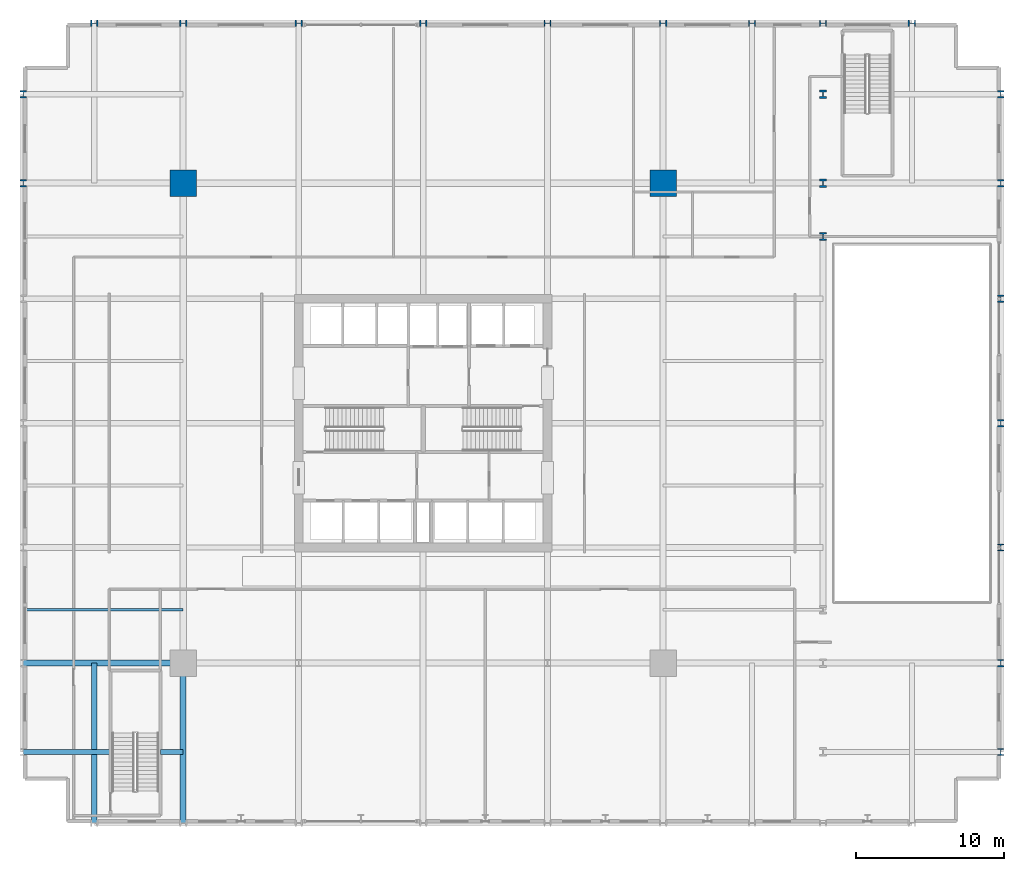
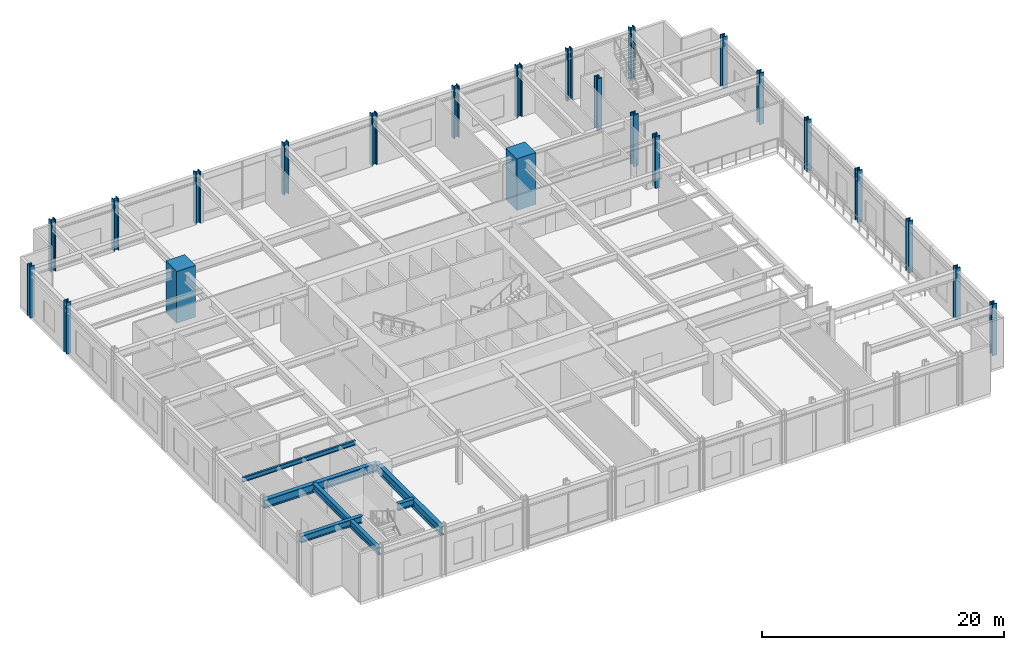
# One storey, part 2 of 20: 23 columns, 6 beams.
"""IFC4 building model written with IfcOpenShell, lengths in metres."""

from ifc_helpers import new_model, si_unit, direction, frame, origin, origin_2d, place, context, subcontext, project, spatial, rectangle, i_section, extrude, material, material_profile, profile_set, type_object, element, save


model = new_model("IFC4")

# Units and contexts
model_context = context("Model", 3, precision=1e-05, world=origin(), true_north=direction((0.0, 1.0)))
body_context = subcontext(model_context, "Body", "Model", "MODEL_VIEW")
ifc_project = project(units=[si_unit("LENGTHUNIT", "METRE"), si_unit("AREAUNIT", "SQUARE_METRE"), si_unit("VOLUMEUNIT", "CUBIC_METRE"), si_unit("PLANEANGLEUNIT", "RADIAN"), si_unit("MASSUNIT", "GRAM", prefix="KILO")], contexts=[model_context])

# Site, building, storey
site_placement = place(None, origin())
site = spatial("IfcSite", under=ifc_project, at=site_placement, CompositionType="ELEMENT")
building_placement = place(site_placement, origin())
building = spatial("IfcBuilding", under=site, at=building_placement, Name="Drelvath Grand Hotel", CompositionType="ELEMENT")
storey_placement = place(building_placement, frame((0.0, 0.0, 5.60009765625)))
storey = spatial("IfcBuildingStorey", under=building, at=storey_placement, Name="L01", CompositionType="ELEMENT", Elevation=5.60009765625)

# Columns
ifc_material_1 = material(Name="Concrete f'c 70 MPa", Category="concrete")
ifc_material_profile_1 = material_profile(ifc_material_1, rectangle(XDim=1.800048828125, YDim=1.800048828125, at=origin_2d()), Name="MC1800X1800")
ifc_profile_set_1 = profile_set([ifc_material_profile_1], Name="Concrete f'c 70 MPa")
column_type_1 = type_object("IfcColumnType", Name="Composite Mega Column MC1800X1800", PredefinedType="COLUMN", material=ifc_profile_set_1)
for number, where, z_axis, x_axis, name in (
    (1, (-16.199951171875, 43.199951171875, 0.0), (0.0, 0.0, 1.0), (1.0, 0.0, 0.0), "L01 Composite Mega Column MC-NW"),
    (2, (16.199951171875, 43.199951171875, 0.0), (0.0, 0.0, 1.0), (1.0, 0.0, 0.0), "L01 Composite Mega Column MC-NE"),
):
    element("IfcColumn", number, at=place(storey_placement, frame(where, z_axis=z_axis, x_axis=x_axis)), inside=storey, type_object=column_type_1, Name=name, PredefinedType="COLUMN", context=body_context, shape_type="SweptSolid", body=[
        extrude(rectangle(XDim=1.800048828125, YDim=1.800048828125, at=origin_2d()), origin(), (0.0, 0.0, 1.0), 5.199951171875),
    ])
ifc_material_2 = material(Name="Steel ASTM A913 Gr 65", Category="steel")
ifc_material_profile_2 = material_profile(ifc_material_2, i_section(OverallWidth=0.43212890625, OverallDepth=0.497802734375, WebThickness=0.0556640625, FlangeThickness=0.0888671875, FilletRadius=0.030029296875, at=origin_2d()), Name="W14X500")
ifc_profile_set_2 = profile_set([ifc_material_profile_2], Name="Steel ASTM A913 Gr 65")
column_type_2 = type_object("IfcColumnType", Name="Perimeter Steel Column W14X500", PredefinedType="COLUMN", material=ifc_profile_set_2)
for number, where, z_axis, x_axis, name in (
    (3, (39.0, 4.800048828125, 0.0), (0.0, 0.0, 1.0), (1.0, 0.0, 0.0), "L01 Structural Column PCE-B"),
    (4, (39.0, 10.800048828125, 0.0), (0.0, 0.0, 1.0), (1.0, 0.0, 0.0), "L01 Structural Column PCE-C"),
    (5, (39.0, 18.60009765625, 0.0), (0.0, 0.0, 1.0), (1.0, 0.0, 0.0), "L01 Structural Column PCE-D"),
    (6, (39.0, 27.0, 0.0), (0.0, 0.0, 1.0), (1.0, 0.0, 0.0), "L01 Structural Column PCE-E"),
    (7, (39.0, 35.39990234375, 0.0), (0.0, 0.0, 1.0), (1.0, 0.0, 0.0), "L01 Structural Column PCE-F"),
    (8, (-27.0, 43.199951171875, 0.0), (0.0, 0.0, 1.0), (1.0, 0.0, 0.0), "L01 Structural Column PCW-G"),
    (9, (39.0, 43.199951171875, 0.0), (0.0, 0.0, 1.0), (1.0, 0.0, 0.0), "L01 Structural Column PCE-G"),
    (10, (-27.0, 49.199951171875, 0.0), (0.0, 0.0, 1.0), (1.0, 0.0, 0.0), "L01 Structural Column PCW-H"),
    (11, (39.0, 49.199951171875, 0.0), (0.0, 0.0, 1.0), (1.0, 0.0, 0.0), "L01 Structural Column PCE-H"),
    (12, (-22.199951171875, 54.0, 0.0), (0.0, 0.0, 1.0), (0.0, 1.0, 0.0), "L01 Structural Column PCN-2"),
    (13, (-16.199951171875, 54.0, 0.0), (0.0, 0.0, 1.0), (0.0, 1.0, 0.0), "L01 Structural Column PCN-3"),
    (14, (-8.39990234375, 54.0, 0.0), (0.0, 0.0, 1.0), (0.0, 1.0, 0.0), "L01 Structural Column PCN-4"),
    (15, (0.0, 54.0, 0.0), (0.0, 0.0, 1.0), (0.0, 1.0, 0.0), "L01 Structural Column PCN-5"),
    (16, (8.39990234375, 54.0, 0.0), (0.0, 0.0, 1.0), (0.0, 1.0, 0.0), "L01 Structural Column PCN-6"),
    (17, (16.199951171875, 54.0, 0.0), (0.0, 0.0, 1.0), (0.0, 1.0, 0.0), "L01 Structural Column PCN-7"),
    (18, (22.199951171875, 54.0, 0.0), (0.0, 0.0, 1.0), (0.0, 1.0, 0.0), "L01 Structural Column PCN-8"),
    (19, (27.0, 54.0, 0.0), (0.0, 0.0, 1.0), (0.0, 1.0, 0.0), "L01 Structural Column PCN-9"),
    (20, (33.0, 54.0, 0.0), (0.0, 0.0, 1.0), (0.0, 1.0, 0.0), "L01 Structural Column PCN-10"),
):
    element("IfcColumn", number, at=place(storey_placement, frame(where, z_axis=z_axis, x_axis=x_axis)), inside=storey, type_object=column_type_2, Name=name, PredefinedType="COLUMN", context=body_context, shape_type="SweptSolid", body=[
        extrude(i_section(OverallWidth=0.43212890625, OverallDepth=0.497802734375, WebThickness=0.0556640625, FlangeThickness=0.0888671875, FilletRadius=0.030029296875, at=origin_2d()), origin(), (0.0, 0.0, 1.0), 5.199951171875),
    ])
ifc_material_profile_3 = material_profile(ifc_material_2, i_section(OverallWidth=0.454345703125, OverallDepth=0.569091796875, WebThickness=0.077880859375, FlangeThickness=0.124755859375, FilletRadius=0.030029296875, at=origin_2d()), Name="W14X730")
ifc_profile_set_3 = profile_set([ifc_material_profile_3], Name="Steel ASTM A913 Gr 65")
column_type_3 = type_object("IfcColumnType", Name="Perimeter Steel Column W14X730", PredefinedType="COLUMN", material=ifc_profile_set_3)
for number, where, z_axis, x_axis, name in (
    (21, (27.0, 39.60009765625, 0.0), (0.0, 0.0, 1.0), (1.0, 0.0, 0.0), "L01 Structural Column PCP9-AT2"),
    (22, (27.0, 43.199951171875, 0.0), (0.0, 0.0, 1.0), (1.0, 0.0, 0.0), "L01 Structural Column PCP9-G"),
    (23, (27.0, 49.199951171875, 0.0), (0.0, 0.0, 1.0), (1.0, 0.0, 0.0), "L01 Structural Column PCP9-H"),
):
    element("IfcColumn", number, at=place(storey_placement, frame(where, z_axis=z_axis, x_axis=x_axis)), inside=storey, type_object=column_type_3, Name=name, PredefinedType="COLUMN", context=body_context, shape_type="SweptSolid", body=[
        extrude(i_section(OverallWidth=0.454345703125, OverallDepth=0.569091796875, WebThickness=0.077880859375, FlangeThickness=0.124755859375, FilletRadius=0.030029296875, at=origin_2d()), origin(), (0.0, 0.0, 1.0), 5.199951171875),
    ])

# Beams
ifc_material_3 = material(Name="Steel ASTM A992 Gr 50", Category="steel")
ifc_material_profile_4 = material_profile(ifc_material_3, i_section(OverallWidth=0.19140625, OverallDepth=0.4599609375, WebThickness=0.010009765625, FlangeThickness=0.01611328125, FilletRadius=0.01611328125, at=origin_2d()), Name="W18X55")
ifc_profile_set_4 = profile_set([ifc_material_profile_4], Name="Steel ASTM A992 Gr 50")
beam_type_1 = type_object("IfcBeamType", Name="Composite Floor Joist W18X55", PredefinedType="JOIST", material=ifc_profile_set_4)
beam_1_placement = place(storey_placement, frame((-27.0, 14.39990234375, 4.619873046875), z_axis=(1.0, 0.0, 0.0), x_axis=(0.0, 1.0, 0.0)))
element("IfcBeam", 24, at=beam_1_placement, inside=storey, type_object=beam_type_1, Name="L01 West Composite Joist J3", PredefinedType="JOIST", context=body_context, shape_type="SweptSolid", body=[
    extrude(i_section(OverallWidth=0.19140625, OverallDepth=0.4599609375, WebThickness=0.010009765625, FlangeThickness=0.01611328125, FilletRadius=0.01611328125, at=origin_2d()), origin(), (0.0, 0.0, 1.0), 10.800048828125),
])
ifc_material_profile_5 = material_profile(ifc_material_3, i_section(OverallWidth=0.354736328125, OverallDepth=0.695556640625, WebThickness=0.015380859375, FlangeThickness=0.025146484375, FilletRadius=0.02392578125, at=origin_2d()), Name="W27X146")
ifc_profile_set_5 = profile_set([ifc_material_profile_5], Name="Steel ASTM A992 Gr 50")
beam_type_2 = type_object("IfcBeamType", Name="Primary Floor Girder W27X146", PredefinedType="BEAM", material=ifc_profile_set_5)
beam_2_placement = place(storey_placement, frame((-27.0, 4.800048828125, 4.502197265625), z_axis=(1.0, 0.0, 0.0), x_axis=(0.0, 1.0, 0.0)))
element("IfcBeam", 25, at=beam_2_placement, inside=storey, type_object=beam_type_2, Name="L01 West Corner Tie B1", PredefinedType="BEAM", context=body_context, shape_type="SweptSolid", body=[
    extrude(i_section(OverallWidth=0.354736328125, OverallDepth=0.695556640625, WebThickness=0.015380859375, FlangeThickness=0.025146484375, FilletRadius=0.02392578125, at=origin_2d()), origin(), (0.0, 0.0, 1.0), 5.89990234375),
])
beam_3_placement = place(storey_placement, frame((-17.739990234375, 4.800048828125, 4.502197265625), z_axis=(1.0, 0.0, 0.0), x_axis=(0.0, 1.0, 0.0)))
element("IfcBeam", 26, at=beam_3_placement, inside=storey, type_object=beam_type_2, Name="L01 West Corner Tie B2", PredefinedType="BEAM", context=body_context, shape_type="SweptSolid", body=[
    extrude(i_section(OverallWidth=0.354736328125, OverallDepth=0.695556640625, WebThickness=0.015380859375, FlangeThickness=0.025146484375, FilletRadius=0.02392578125, at=origin_2d()), origin(), (0.0, 0.0, 1.0), 1.5400390625),
])
beam_4_placement = place(storey_placement, frame((-22.199951171875, 0.0, 4.502197265625), z_axis=(0.0, 1.0, 0.0), x_axis=(-1.0, 0.0, 0.0)))
element("IfcBeam", 27, at=beam_4_placement, inside=storey, type_object=beam_type_2, Name="L01 South Corner Tie 2", PredefinedType="BEAM", context=body_context, shape_type="SweptSolid", body=[
    extrude(i_section(OverallWidth=0.354736328125, OverallDepth=0.695556640625, WebThickness=0.015380859375, FlangeThickness=0.025146484375, FilletRadius=0.02392578125, at=origin_2d()), origin(), (0.0, 0.0, 1.0), 10.800048828125),
])
ifc_material_profile_6 = material_profile(ifc_material_3, i_section(OverallWidth=0.39990234375, OverallDepth=0.85546875, WebThickness=0.018310546875, FlangeThickness=0.029296875, FilletRadius=0.02490234375, at=origin_2d()), Name="W33X201")
ifc_profile_set_6 = profile_set([ifc_material_profile_6], Name="Steel ASTM A992 Gr 50")
beam_type_3 = type_object("IfcBeamType", Name="Primary Floor Girder W33X201", PredefinedType="BEAM", material=ifc_profile_set_6)
for number, where, z_axis, x_axis, name in (
    (28, (-27.0, 10.800048828125, 4.422119140625), (1.0, 0.0, 0.0), (0.0, 1.0, 0.0), "L01 West Podium Girder C"),
    (29, (-16.199951171875, 0.0, 4.422119140625), (0.0, 1.0, 0.0), (-1.0, 0.0, 0.0), "L01 South Podium Girder 3"),
):
    element("IfcBeam", number, at=place(storey_placement, frame(where, z_axis=z_axis, x_axis=x_axis)), inside=storey, type_object=beam_type_3, Name=name, PredefinedType="BEAM", context=body_context, shape_type="SweptSolid", body=[
        extrude(i_section(OverallWidth=0.39990234375, OverallDepth=0.85546875, WebThickness=0.018310546875, FlangeThickness=0.029296875, FilletRadius=0.02490234375, at=origin_2d()), origin(), (0.0, 0.0, 1.0), 10.800048828125),
    ])

save(model, "model.ifc")
